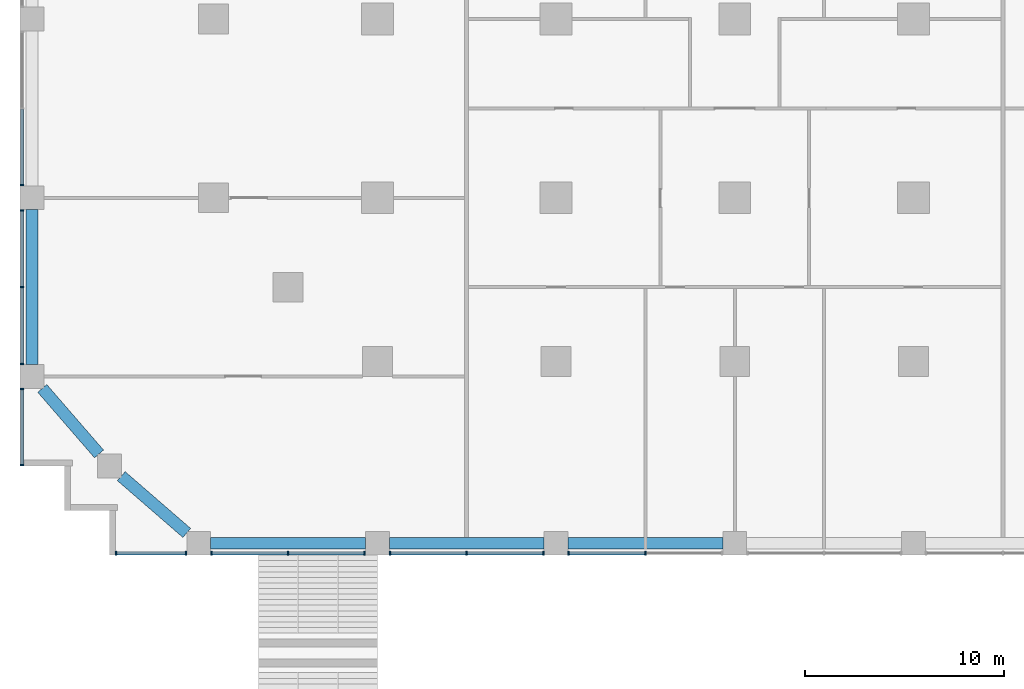
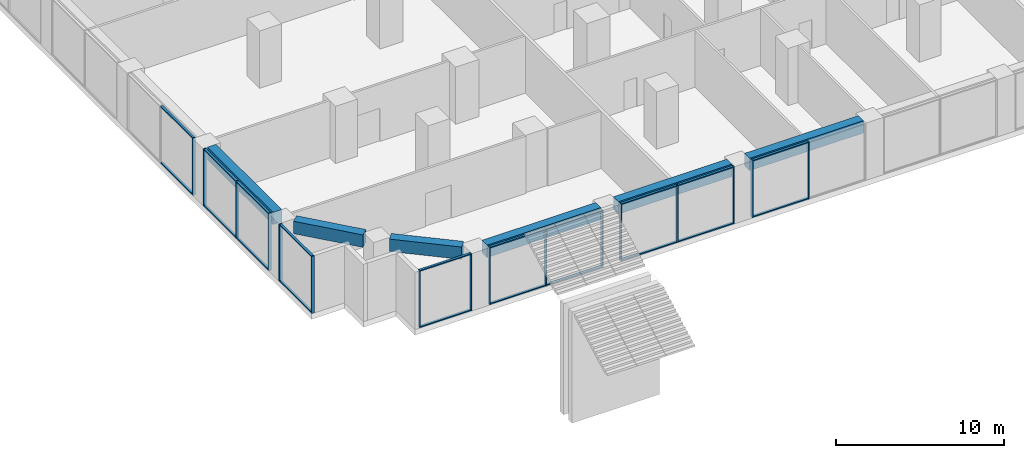
# One storey, part 2 of 18: 36 members, 6 beams, 7 elements without a shape of their own.
"""IFC4 building model written with IfcOpenShell, lengths in metres."""

from ifc_helpers import new_model, si_unit, direction, frame, origin, origin_2d, place, context, subcontext, project, spatial, rectangle, extrude, material, material_profile, profile_set, type_object, element, aggregate, save


model = new_model("IFC4")

# Units and contexts
model_context = context("Model", 3, precision=1e-05, world=origin(), true_north=direction((0.0, 1.0)))
body_context = subcontext(model_context, "Body", "Model", "MODEL_VIEW")
ifc_project = project(units=[si_unit("LENGTHUNIT", "METRE"), si_unit("AREAUNIT", "SQUARE_METRE"), si_unit("VOLUMEUNIT", "CUBIC_METRE"), si_unit("PLANEANGLEUNIT", "RADIAN"), si_unit("MASSUNIT", "GRAM", prefix="KILO")], contexts=[model_context])

# Site, building, storey
site_placement = place(None, origin())
site = spatial("IfcSite", under=ifc_project, at=site_placement, CompositionType="ELEMENT")
building_placement = place(site_placement, origin())
building = spatial("IfcBuilding", under=site, at=building_placement, Name="Orbiselva Terraces", CompositionType="ELEMENT")
storey_placement = place(building_placement, frame((0.0, 0.0, 6.0)))
storey = spatial("IfcBuildingStorey", under=building, at=storey_placement, Name="L01", CompositionType="ELEMENT", Elevation=6.0)

# Curtain wall, members
ifc_material_1 = material(Name="Clear low-e glazing in aluminium frame", Category="aluminium")
curtain_wall_type = type_object("IfcCurtainWallType", Name="ENV-CW-LOBBY", PredefinedType="NOTDEFINED", material=ifc_material_1)
curtain_wall_1_placement = place(storey_placement, origin())
curtain_wall_1 = element("IfcCurtainWall", 1, at=curtain_wall_1_placement, inside=storey, type_object=curtain_wall_type, Name="Curtain wall L01 S", PredefinedType="NOTDEFINED")
ifc_material_2 = material(Name="Anodised aluminium", Category="aluminium")
ifc_material_profile_1 = material_profile(ifc_material_2, rectangle(XDim=0.2, YDim=0.075, at=origin_2d()), Name="AL 75x200")
ifc_profile_set_1 = profile_set([ifc_material_profile_1], Name="Anodised aluminium")
member_type_1 = type_object("IfcMemberType", Name="ENV-CW-LOBBY-MULLION-75x200", PredefinedType="MULLION", material=ifc_profile_set_1)
member_1_placement = place(storey_placement, frame((-31.1625, -31.4, 0.0), z_axis=(0.0, 0.0, 1.0), x_axis=(0.0, 1.0, 0.0)))
member_1 = element("IfcMember", 2, at=member_1_placement, type_object=member_type_1, Name="CW1 mullion 1", PredefinedType="MULLION", context=body_context, shape_type="SweptSolid", body=[
    extrude(rectangle(XDim=0.2, YDim=0.075, at=origin_2d()), origin(), (0.0, 0.0, 1.0), 4.15),
])
member_2_placement = place(storey_placement, frame((-27.6375, -31.4, 0.0), z_axis=(0.0, 0.0, 1.0), x_axis=(0.0, 1.0, 0.0)))
member_2 = element("IfcMember", 3, at=member_2_placement, type_object=member_type_1, Name="CW1 mullion 2", PredefinedType="MULLION", context=body_context, shape_type="SweptSolid", body=[
    extrude(rectangle(XDim=0.2, YDim=0.075, at=origin_2d()), origin(), (0.0, 0.0, 1.0), 4.15),
])

curtain_wall_2_placement = place(storey_placement, origin())
curtain_wall_2 = element("IfcCurtainWall", 4, at=curtain_wall_2_placement, inside=storey, type_object=curtain_wall_type, Name="Curtain wall L01 S", PredefinedType="NOTDEFINED")
member_3_placement = place(storey_placement, frame((-26.3625, -31.4, 0.0), z_axis=(0.0, 0.0, 1.0), x_axis=(0.0, 1.0, 0.0)))
member_3 = element("IfcMember", 5, at=member_3_placement, type_object=member_type_1, Name="CW1 mullion 1", PredefinedType="MULLION", context=body_context, shape_type="SweptSolid", body=[
    extrude(rectangle(XDim=0.2, YDim=0.075, at=origin_2d()), origin(), (0.0, 0.0, 1.0), 4.15),
])
member_4_placement = place(storey_placement, frame((-22.5, -31.4, 0.0), z_axis=(0.0, 0.0, 1.0), x_axis=(0.0, 1.0, 0.0)))
member_4 = element("IfcMember", 6, at=member_4_placement, type_object=member_type_1, Name="CW1 mullion 2", PredefinedType="MULLION", context=body_context, shape_type="SweptSolid", body=[
    extrude(rectangle(XDim=0.2, YDim=0.075, at=origin_2d()), origin(), (0.0, 0.0, 1.0), 4.15),
])
member_5_placement = place(storey_placement, frame((-18.6375, -31.4, 0.0), z_axis=(0.0, 0.0, 1.0), x_axis=(0.0, 1.0, 0.0)))
member_5 = element("IfcMember", 7, at=member_5_placement, type_object=member_type_1, Name="CW1 mullion 3", PredefinedType="MULLION", context=body_context, shape_type="SweptSolid", body=[
    extrude(rectangle(XDim=0.2, YDim=0.075, at=origin_2d()), origin(), (0.0, 0.0, 1.0), 4.15),
])

curtain_wall_3_placement = place(storey_placement, origin())
curtain_wall_3 = element("IfcCurtainWall", 8, at=curtain_wall_3_placement, inside=storey, type_object=curtain_wall_type, Name="Curtain wall L01 S", PredefinedType="NOTDEFINED")
member_6_placement = place(storey_placement, frame((-17.3625, -31.4, 0.0), z_axis=(0.0, 0.0, 1.0), x_axis=(0.0, 1.0, 0.0)))
member_6 = element("IfcMember", 9, at=member_6_placement, type_object=member_type_1, Name="CW1 mullion 1", PredefinedType="MULLION", context=body_context, shape_type="SweptSolid", body=[
    extrude(rectangle(XDim=0.2, YDim=0.075, at=origin_2d()), origin(), (0.0, 0.0, 1.0), 4.15),
])
member_7_placement = place(storey_placement, frame((-13.5, -31.4, 0.0), z_axis=(0.0, 0.0, 1.0), x_axis=(0.0, 1.0, 0.0)))
member_7 = element("IfcMember", 10, at=member_7_placement, type_object=member_type_1, Name="CW1 mullion 2", PredefinedType="MULLION", context=body_context, shape_type="SweptSolid", body=[
    extrude(rectangle(XDim=0.2, YDim=0.075, at=origin_2d()), origin(), (0.0, 0.0, 1.0), 4.15),
])
member_8_placement = place(storey_placement, frame((-9.6375, -31.4, 0.0), z_axis=(0.0, 0.0, 1.0), x_axis=(0.0, 1.0, 0.0)))
member_8 = element("IfcMember", 11, at=member_8_placement, type_object=member_type_1, Name="CW1 mullion 3", PredefinedType="MULLION", context=body_context, shape_type="SweptSolid", body=[
    extrude(rectangle(XDim=0.2, YDim=0.075, at=origin_2d()), origin(), (0.0, 0.0, 1.0), 4.15),
])

curtain_wall_4_placement = place(storey_placement, origin())
curtain_wall_4 = element("IfcCurtainWall", 12, at=curtain_wall_4_placement, inside=storey, type_object=curtain_wall_type, Name="Curtain wall L01 S", PredefinedType="NOTDEFINED")
member_9_placement = place(storey_placement, frame((-8.3625, -31.4, 0.0), z_axis=(0.0, 0.0, 1.0), x_axis=(0.0, 1.0, 0.0)))
member_9 = element("IfcMember", 13, at=member_9_placement, type_object=member_type_1, Name="CW1 mullion 1", PredefinedType="MULLION", context=body_context, shape_type="SweptSolid", body=[
    extrude(rectangle(XDim=0.2, YDim=0.075, at=origin_2d()), origin(), (0.0, 0.0, 1.0), 4.15),
])
member_10_placement = place(storey_placement, frame((-4.5, -31.4, 0.0), z_axis=(0.0, 0.0, 1.0), x_axis=(0.0, 1.0, 0.0)))
member_10 = element("IfcMember", 14, at=member_10_placement, type_object=member_type_1, Name="CW1 mullion 2", PredefinedType="MULLION", context=body_context, shape_type="SweptSolid", body=[
    extrude(rectangle(XDim=0.2, YDim=0.075, at=origin_2d()), origin(), (0.0, 0.0, 1.0), 4.15),
])

# Curtain wall, member
curtain_wall_5_placement = place(storey_placement, origin())
curtain_wall_5 = element("IfcCurtainWall", 15, at=curtain_wall_5_placement, inside=storey, type_object=curtain_wall_type, Name="Curtain wall L01 W", PredefinedType="NOTDEFINED")
member_11_placement = place(storey_placement, frame((-35.9, -12.8625, 0.0), z_axis=(0.0, 0.0, 1.0), x_axis=(1.0, 0.0, 0.0)))
member_11 = element("IfcMember", 16, at=member_11_placement, type_object=member_type_1, Name="CW1 mullion 3", PredefinedType="MULLION", context=body_context, shape_type="SweptSolid", body=[
    extrude(rectangle(XDim=0.2, YDim=0.075, at=origin_2d()), origin(), (0.0, 0.0, 1.0), 4.15),
])

# Curtain wall, members
curtain_wall_6_placement = place(storey_placement, origin())
curtain_wall_6 = element("IfcCurtainWall", 17, at=curtain_wall_6_placement, inside=storey, type_object=curtain_wall_type, Name="Curtain wall L01 W", PredefinedType="NOTDEFINED")
member_12_placement = place(storey_placement, frame((-35.9, -14.1375, 0.0), z_axis=(0.0, 0.0, 1.0), x_axis=(1.0, 0.0, 0.0)))
member_12 = element("IfcMember", 18, at=member_12_placement, type_object=member_type_1, Name="CW1 mullion 1", PredefinedType="MULLION", context=body_context, shape_type="SweptSolid", body=[
    extrude(rectangle(XDim=0.2, YDim=0.075, at=origin_2d()), origin(), (0.0, 0.0, 1.0), 4.15),
])
member_13_placement = place(storey_placement, frame((-35.9, -18.0, 0.0), z_axis=(0.0, 0.0, 1.0), x_axis=(1.0, 0.0, 0.0)))
member_13 = element("IfcMember", 19, at=member_13_placement, type_object=member_type_1, Name="CW1 mullion 2", PredefinedType="MULLION", context=body_context, shape_type="SweptSolid", body=[
    extrude(rectangle(XDim=0.2, YDim=0.075, at=origin_2d()), origin(), (0.0, 0.0, 1.0), 4.15),
])
member_14_placement = place(storey_placement, frame((-35.9, -21.8625, 0.0), z_axis=(0.0, 0.0, 1.0), x_axis=(1.0, 0.0, 0.0)))
member_14 = element("IfcMember", 20, at=member_14_placement, type_object=member_type_1, Name="CW1 mullion 3", PredefinedType="MULLION", context=body_context, shape_type="SweptSolid", body=[
    extrude(rectangle(XDim=0.2, YDim=0.075, at=origin_2d()), origin(), (0.0, 0.0, 1.0), 4.15),
])

curtain_wall_7_placement = place(storey_placement, origin())
curtain_wall_7 = element("IfcCurtainWall", 21, at=curtain_wall_7_placement, inside=storey, type_object=curtain_wall_type, Name="Curtain wall L01 W", PredefinedType="NOTDEFINED")
member_15_placement = place(storey_placement, frame((-35.9, -23.1375, 0.0), z_axis=(0.0, 0.0, 1.0), x_axis=(1.0, 0.0, 0.0)))
member_15 = element("IfcMember", 22, at=member_15_placement, type_object=member_type_1, Name="CW1 mullion 1", PredefinedType="MULLION", context=body_context, shape_type="SweptSolid", body=[
    extrude(rectangle(XDim=0.2, YDim=0.075, at=origin_2d()), origin(), (0.0, 0.0, 1.0), 4.15),
])
member_16_placement = place(storey_placement, frame((-35.9, -26.9625, 0.0), z_axis=(0.0, 0.0, 1.0), x_axis=(1.0, 0.0, 0.0)))
member_16 = element("IfcMember", 23, at=member_16_placement, type_object=member_type_1, Name="CW1 mullion 2", PredefinedType="MULLION", context=body_context, shape_type="SweptSolid", body=[
    extrude(rectangle(XDim=0.2, YDim=0.075, at=origin_2d()), origin(), (0.0, 0.0, 1.0), 4.15),
])

# Member
ifc_material_profile_2 = material_profile(ifc_material_2, rectangle(XDim=0.16, YDim=0.075, at=origin_2d()), Name="AL 75x160")
ifc_profile_set_2 = profile_set([ifc_material_profile_2], Name="Anodised aluminium")
member_type_2 = type_object("IfcMemberType", Name="ENV-CW-LOBBY-TRANSOM-75x160", PredefinedType="USERDEFINED", material=ifc_profile_set_2)
member_17_placement = place(storey_placement, frame((-31.125, -31.4, 0.0375), z_axis=(1.0, 0.0, 0.0), x_axis=(0.0, 1.0, 0.0)))
member_17 = element("IfcMember", 24, at=member_17_placement, type_object=member_type_2, Name="CW1 transom 1.1", ObjectType="TRANSOM", PredefinedType="USERDEFINED", context=body_context, shape_type="SweptSolid", body=[
    extrude(rectangle(XDim=0.16, YDim=0.075, at=origin_2d()), origin(), (0.0, 0.0, 1.0), 3.45),
])

member_18_placement = place(storey_placement, frame((-31.125, -31.4, 4.1125), z_axis=(1.0, 0.0, 0.0), x_axis=(0.0, 1.0, 0.0)))
member_18 = element("IfcMember", 25, at=member_18_placement, type_object=member_type_2, Name="CW1 transom 1.2", ObjectType="TRANSOM", PredefinedType="USERDEFINED", context=body_context, shape_type="SweptSolid", body=[
    extrude(rectangle(XDim=0.16, YDim=0.075, at=origin_2d()), origin(), (0.0, 0.0, 1.0), 3.45),
])

aggregate(curtain_wall_1, [member_1, member_2, member_17, member_18])

member_19_placement = place(storey_placement, frame((-26.325, -31.4, 0.0375), z_axis=(1.0, 0.0, 0.0), x_axis=(0.0, 1.0, 0.0)))
member_19 = element("IfcMember", 26, at=member_19_placement, type_object=member_type_2, Name="CW1 transom 1.1", ObjectType="TRANSOM", PredefinedType="USERDEFINED", context=body_context, shape_type="SweptSolid", body=[
    extrude(rectangle(XDim=0.16, YDim=0.075, at=origin_2d()), origin(), (0.0, 0.0, 1.0), 3.7875),
])

member_20_placement = place(storey_placement, frame((-26.325, -31.4, 4.1125), z_axis=(1.0, 0.0, 0.0), x_axis=(0.0, 1.0, 0.0)))
member_20 = element("IfcMember", 27, at=member_20_placement, type_object=member_type_2, Name="CW1 transom 1.2", ObjectType="TRANSOM", PredefinedType="USERDEFINED", context=body_context, shape_type="SweptSolid", body=[
    extrude(rectangle(XDim=0.16, YDim=0.075, at=origin_2d()), origin(), (0.0, 0.0, 1.0), 3.7875),
])

member_21_placement = place(storey_placement, frame((-22.4625, -31.4, 0.0375), z_axis=(1.0, 0.0, 0.0), x_axis=(0.0, 1.0, 0.0)))
member_21 = element("IfcMember", 28, at=member_21_placement, type_object=member_type_2, Name="CW1 transom 2.1", ObjectType="TRANSOM", PredefinedType="USERDEFINED", context=body_context, shape_type="SweptSolid", body=[
    extrude(rectangle(XDim=0.16, YDim=0.075, at=origin_2d()), origin(), (0.0, 0.0, 1.0), 3.7875),
])

member_22_placement = place(storey_placement, frame((-22.4625, -31.4, 4.1125), z_axis=(1.0, 0.0, 0.0), x_axis=(0.0, 1.0, 0.0)))
member_22 = element("IfcMember", 29, at=member_22_placement, type_object=member_type_2, Name="CW1 transom 2.2", ObjectType="TRANSOM", PredefinedType="USERDEFINED", context=body_context, shape_type="SweptSolid", body=[
    extrude(rectangle(XDim=0.16, YDim=0.075, at=origin_2d()), origin(), (0.0, 0.0, 1.0), 3.7875),
])

aggregate(curtain_wall_2, [member_3, member_4, member_5, member_19, member_20, member_21, member_22])

member_23_placement = place(storey_placement, frame((-17.325, -31.4, 0.0375), z_axis=(1.0, 0.0, 0.0), x_axis=(0.0, 1.0, 0.0)))
member_23 = element("IfcMember", 30, at=member_23_placement, type_object=member_type_2, Name="CW1 transom 1.1", ObjectType="TRANSOM", PredefinedType="USERDEFINED", context=body_context, shape_type="SweptSolid", body=[
    extrude(rectangle(XDim=0.16, YDim=0.075, at=origin_2d()), origin(), (0.0, 0.0, 1.0), 3.7875),
])

member_24_placement = place(storey_placement, frame((-17.325, -31.4, 4.1125), z_axis=(1.0, 0.0, 0.0), x_axis=(0.0, 1.0, 0.0)))
member_24 = element("IfcMember", 31, at=member_24_placement, type_object=member_type_2, Name="CW1 transom 1.2", ObjectType="TRANSOM", PredefinedType="USERDEFINED", context=body_context, shape_type="SweptSolid", body=[
    extrude(rectangle(XDim=0.16, YDim=0.075, at=origin_2d()), origin(), (0.0, 0.0, 1.0), 3.7875),
])

member_25_placement = place(storey_placement, frame((-13.4625, -31.4, 0.0375), z_axis=(1.0, 0.0, 0.0), x_axis=(0.0, 1.0, 0.0)))
member_25 = element("IfcMember", 32, at=member_25_placement, type_object=member_type_2, Name="CW1 transom 2.1", ObjectType="TRANSOM", PredefinedType="USERDEFINED", context=body_context, shape_type="SweptSolid", body=[
    extrude(rectangle(XDim=0.16, YDim=0.075, at=origin_2d()), origin(), (0.0, 0.0, 1.0), 3.7875),
])

member_26_placement = place(storey_placement, frame((-13.4625, -31.4, 4.1125), z_axis=(1.0, 0.0, 0.0), x_axis=(0.0, 1.0, 0.0)))
member_26 = element("IfcMember", 33, at=member_26_placement, type_object=member_type_2, Name="CW1 transom 2.2", ObjectType="TRANSOM", PredefinedType="USERDEFINED", context=body_context, shape_type="SweptSolid", body=[
    extrude(rectangle(XDim=0.16, YDim=0.075, at=origin_2d()), origin(), (0.0, 0.0, 1.0), 3.7875),
])

aggregate(curtain_wall_3, [member_6, member_7, member_8, member_23, member_24, member_25, member_26])

member_27_placement = place(storey_placement, frame((-8.325, -31.4, 0.0375), z_axis=(1.0, 0.0, 0.0), x_axis=(0.0, 1.0, 0.0)))
member_27 = element("IfcMember", 34, at=member_27_placement, type_object=member_type_2, Name="CW1 transom 1.1", ObjectType="TRANSOM", PredefinedType="USERDEFINED", context=body_context, shape_type="SweptSolid", body=[
    extrude(rectangle(XDim=0.16, YDim=0.075, at=origin_2d()), origin(), (0.0, 0.0, 1.0), 3.7875),
])

member_28_placement = place(storey_placement, frame((-8.325, -31.4, 4.1125), z_axis=(1.0, 0.0, 0.0), x_axis=(0.0, 1.0, 0.0)))
member_28 = element("IfcMember", 35, at=member_28_placement, type_object=member_type_2, Name="CW1 transom 1.2", ObjectType="TRANSOM", PredefinedType="USERDEFINED", context=body_context, shape_type="SweptSolid", body=[
    extrude(rectangle(XDim=0.16, YDim=0.075, at=origin_2d()), origin(), (0.0, 0.0, 1.0), 3.7875),
])

aggregate(curtain_wall_4, [member_9, member_10, member_27, member_28])

member_29_placement = place(storey_placement, frame((-35.9, -9.0375, 0.0375), z_axis=(0.0, -1.0, 0.0), x_axis=(1.0, 0.0, 0.0)))
member_29 = element("IfcMember", 36, at=member_29_placement, type_object=member_type_2, Name="CW1 transom 2.1", ObjectType="TRANSOM", PredefinedType="USERDEFINED", context=body_context, shape_type="SweptSolid", body=[
    extrude(rectangle(XDim=0.16, YDim=0.075, at=origin_2d()), origin(), (0.0, 0.0, 1.0), 3.7875),
])

member_30_placement = place(storey_placement, frame((-35.9, -9.0375, 4.1125), z_axis=(0.0, -1.0, 0.0), x_axis=(1.0, 0.0, 0.0)))
member_30 = element("IfcMember", 37, at=member_30_placement, type_object=member_type_2, Name="CW1 transom 2.2", ObjectType="TRANSOM", PredefinedType="USERDEFINED", context=body_context, shape_type="SweptSolid", body=[
    extrude(rectangle(XDim=0.16, YDim=0.075, at=origin_2d()), origin(), (0.0, 0.0, 1.0), 3.7875),
])

aggregate(curtain_wall_5, [member_11, member_29, member_30])

member_31_placement = place(storey_placement, frame((-35.9, -14.175, 0.0375), z_axis=(0.0, -1.0, 0.0), x_axis=(1.0, 0.0, 0.0)))
member_31 = element("IfcMember", 38, at=member_31_placement, type_object=member_type_2, Name="CW1 transom 1.1", ObjectType="TRANSOM", PredefinedType="USERDEFINED", context=body_context, shape_type="SweptSolid", body=[
    extrude(rectangle(XDim=0.16, YDim=0.075, at=origin_2d()), origin(), (0.0, 0.0, 1.0), 3.7875),
])

member_32_placement = place(storey_placement, frame((-35.9, -14.175, 4.1125), z_axis=(0.0, -1.0, 0.0), x_axis=(1.0, 0.0, 0.0)))
member_32 = element("IfcMember", 39, at=member_32_placement, type_object=member_type_2, Name="CW1 transom 1.2", ObjectType="TRANSOM", PredefinedType="USERDEFINED", context=body_context, shape_type="SweptSolid", body=[
    extrude(rectangle(XDim=0.16, YDim=0.075, at=origin_2d()), origin(), (0.0, 0.0, 1.0), 3.7875),
])

member_33_placement = place(storey_placement, frame((-35.9, -18.0375, 0.0375), z_axis=(0.0, -1.0, 0.0), x_axis=(1.0, 0.0, 0.0)))
member_33 = element("IfcMember", 40, at=member_33_placement, type_object=member_type_2, Name="CW1 transom 2.1", ObjectType="TRANSOM", PredefinedType="USERDEFINED", context=body_context, shape_type="SweptSolid", body=[
    extrude(rectangle(XDim=0.16, YDim=0.075, at=origin_2d()), origin(), (0.0, 0.0, 1.0), 3.7875),
])

member_34_placement = place(storey_placement, frame((-35.9, -18.0375, 4.1125), z_axis=(0.0, -1.0, 0.0), x_axis=(1.0, 0.0, 0.0)))
member_34 = element("IfcMember", 41, at=member_34_placement, type_object=member_type_2, Name="CW1 transom 2.2", ObjectType="TRANSOM", PredefinedType="USERDEFINED", context=body_context, shape_type="SweptSolid", body=[
    extrude(rectangle(XDim=0.16, YDim=0.075, at=origin_2d()), origin(), (0.0, 0.0, 1.0), 3.7875),
])

aggregate(curtain_wall_6, [member_12, member_13, member_14, member_31, member_32, member_33, member_34])

member_35_placement = place(storey_placement, frame((-35.9, -23.175, 0.0375), z_axis=(0.0, -1.0, 0.0), x_axis=(1.0, 0.0, 0.0)))
member_35 = element("IfcMember", 42, at=member_35_placement, type_object=member_type_2, Name="CW1 transom 1.1", ObjectType="TRANSOM", PredefinedType="USERDEFINED", context=body_context, shape_type="SweptSolid", body=[
    extrude(rectangle(XDim=0.16, YDim=0.075, at=origin_2d()), origin(), (0.0, 0.0, 1.0), 3.75),
])

member_36_placement = place(storey_placement, frame((-35.9, -23.175, 4.1125), z_axis=(0.0, -1.0, 0.0), x_axis=(1.0, 0.0, 0.0)))
member_36 = element("IfcMember", 43, at=member_36_placement, type_object=member_type_2, Name="CW1 transom 1.2", ObjectType="TRANSOM", PredefinedType="USERDEFINED", context=body_context, shape_type="SweptSolid", body=[
    extrude(rectangle(XDim=0.16, YDim=0.075, at=origin_2d()), origin(), (0.0, 0.0, 1.0), 3.75),
])

aggregate(curtain_wall_7, [member_15, member_16, member_35, member_36])

# Beams
ifc_material_3 = material(Name="Concrete C60/75", Category="concrete")
ifc_material_profile_3 = material_profile(ifc_material_3, rectangle(XDim=0.6, YDim=0.9, at=origin_2d()), Name="RC 600x900")
ifc_profile_set_3 = profile_set([ifc_material_profile_3], Name="Concrete C60/75")
beam_type = type_object("IfcBeamType", Name="PODIUM GIRDER RC 600x900", PredefinedType="BEAM", material=ifc_profile_set_3)
beam_placement = place(storey_placement, frame((-35.4, -14.1, 3.7), z_axis=(0.0, -1.0, 0.0), x_axis=(1.0, 0.0, 0.0)))
element("IfcBeam", 44, at=beam_placement, inside=storey, type_object=beam_type, Name="Podium girder 02", PredefinedType="BEAM", context=body_context, shape_type="SweptSolid", body=[
    extrude(rectangle(XDim=0.6, YDim=0.9, at=origin_2d()), origin(), (0.0, 0.0, 1.0), 7.8),
])
for number, where, z_axis, x_axis, name in (
    (45, (-34.88, -23.1, 3.7), (0.654930538418, -0.75568908279, 0.0), (0.75568908279, 0.654930538418, 0.0), "Podium girder 03"),
    (46, (-30.9, -27.52, 3.7), (0.75568908279, -0.654930538418, 0.0), (0.654930538418, 0.75568908279, 0.0), "Podium girder 04"),
):
    element("IfcBeam", number, at=place(storey_placement, frame(where, z_axis=z_axis, x_axis=x_axis)), inside=storey, type_object=beam_type, Name=name, PredefinedType="BEAM", context=body_context, shape_type="SweptSolid", body=[
        extrude(rectangle(XDim=0.6, YDim=0.9, at=origin_2d()), origin(), (0.0, 0.0, 1.0), 4.366875),
    ])
for number, where, z_axis, x_axis, name in (
    (47, (-26.4, -30.9, 3.7), (1.0, 0.0, 0.0), (0.0, 1.0, 0.0), "Podium girder 05"),
    (48, (-17.4, -30.9, 3.7), (1.0, 0.0, 0.0), (0.0, 1.0, 0.0), "Podium girder 06"),
    (49, (-8.4, -30.9, 3.7), (1.0, 0.0, 0.0), (0.0, 1.0, 0.0), "Podium girder 07"),
):
    element("IfcBeam", number, at=place(storey_placement, frame(where, z_axis=z_axis, x_axis=x_axis)), inside=storey, type_object=beam_type, Name=name, PredefinedType="BEAM", context=body_context, shape_type="SweptSolid", body=[
        extrude(rectangle(XDim=0.6, YDim=0.9, at=origin_2d()), origin(), (0.0, 0.0, 1.0), 7.8),
    ])

save(model, "model.ifc")
